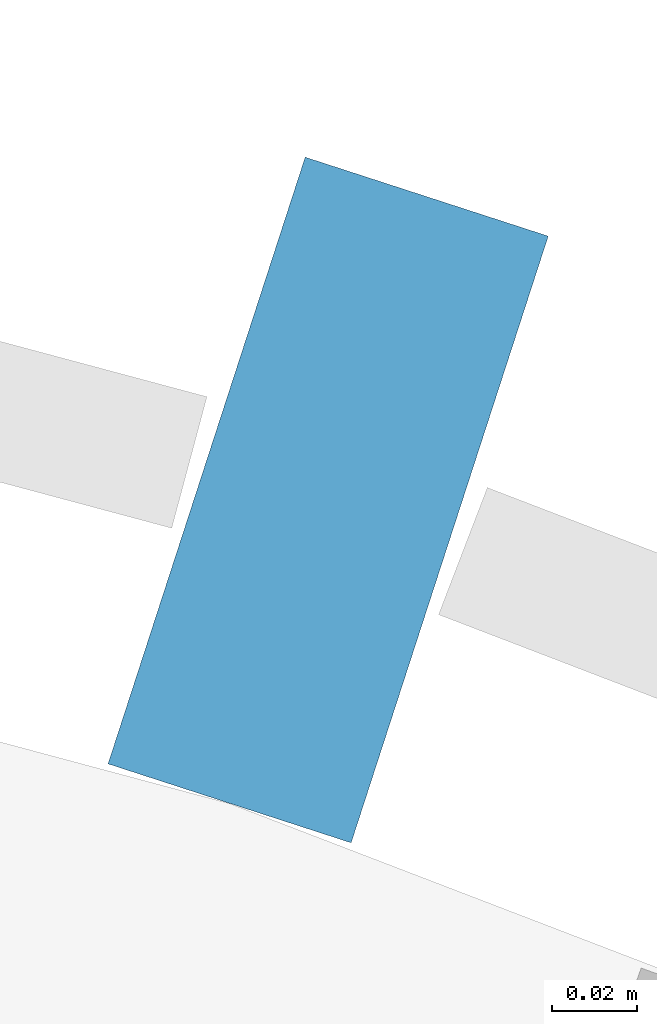
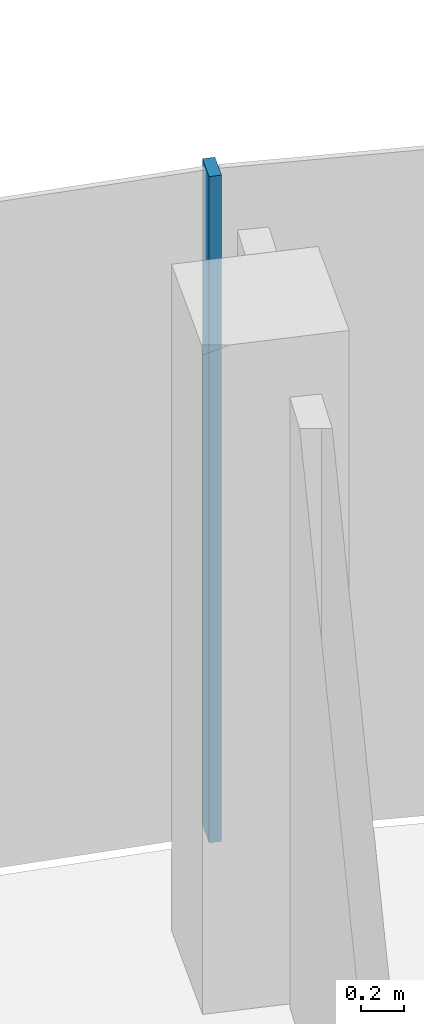
# One storey, part 10 of 18: 1 member, 1 element without a shape of its own.
"""IFC4 building model written with IfcOpenShell, lengths in metres."""

from ifc_helpers import new_model, si_unit, direction, frame, origin, origin_2d, place, context, subcontext, project, spatial, rectangle, extrude, material, layer, layer_set, material_profile, profile_set, type_object, element, aggregate, save


model = new_model("IFC4")

# Units and contexts
model_context = context("Model", 3, precision=1e-05, world=origin(), true_north=direction((0.0, 1.0)))
body_context = subcontext(model_context, "Body", "Model", "MODEL_VIEW")
ifc_project = project(units=[si_unit("LENGTHUNIT", "METRE"), si_unit("AREAUNIT", "SQUARE_METRE"), si_unit("VOLUMEUNIT", "CUBIC_METRE"), si_unit("PLANEANGLEUNIT", "RADIAN"), si_unit("MASSUNIT", "GRAM", prefix="KILO")], contexts=[model_context])

# Site, building, storey
site_placement = place(None, origin())
site = spatial("IfcSite", under=ifc_project, at=site_placement, CompositionType="ELEMENT")
building_placement = place(site_placement, origin())
building = spatial("IfcBuilding", under=site, at=building_placement, Name="Stone Belt Terrace Tower", CompositionType="ELEMENT")
storey_placement = place(building_placement, frame((0.0, 0.0, 277.0)))
storey = spatial("IfcBuildingStorey", under=building, at=storey_placement, Name="L67", CompositionType="ELEMENT", Elevation=277.0)

# Curtain wall, member
ifc_material = material(Name="Aluminium 6063-T6 anodised frame", Category="aluminium")
ifc_layer = layer(ifc_material, 0.14990234375)
ifc_layer_set = layer_set([ifc_layer], Name="CW-A unitised convex-face curtain wall")
curtain_wall_type = type_object("IfcCurtainWallType", Name="CW-A unitised convex-face curtain wall", PredefinedType="NOTDEFINED", material=ifc_layer_set)
curtain_wall_placement = place(storey_placement, origin())
curtain_wall = element("IfcCurtainWall", 1, at=curtain_wall_placement, inside=storey, type_object=curtain_wall_type, Name="CW-A convex face L67", PredefinedType="NOTDEFINED")
ifc_material_profile = material_profile(ifc_material, rectangle(XDim=0.14990234375, YDim=0.06005859375, at=origin_2d()), Name="Aluminium 6063-T6 60x150")
ifc_profile_set = profile_set([ifc_material_profile], Name="Aluminium 6063-T6 anodised frame")
member_type = type_object("IfcMemberType", Name="CW-A mullion 60 x 150", PredefinedType="MULLION", material=ifc_profile_set)
member_placement = place(storey_placement, frame((20.57275390625, 63.316650390625, 0.0), z_axis=(0.0, 0.0, 1.0), x_axis=(-0.309016994375, -0.951056516295, 0.0)))
member = element("IfcMember", 2, at=member_placement, type_object=member_type, Name="CW-A mullion 5", PredefinedType="MULLION", context=body_context, shape_type="SweptSolid", body=[
    extrude(rectangle(XDim=0.14990234375, YDim=0.06005859375, at=origin_2d()), origin(), (0.0, 0.0, 1.0), 3.800048828125),
])
aggregate(curtain_wall, [member])

save(model, "model.ifc")
